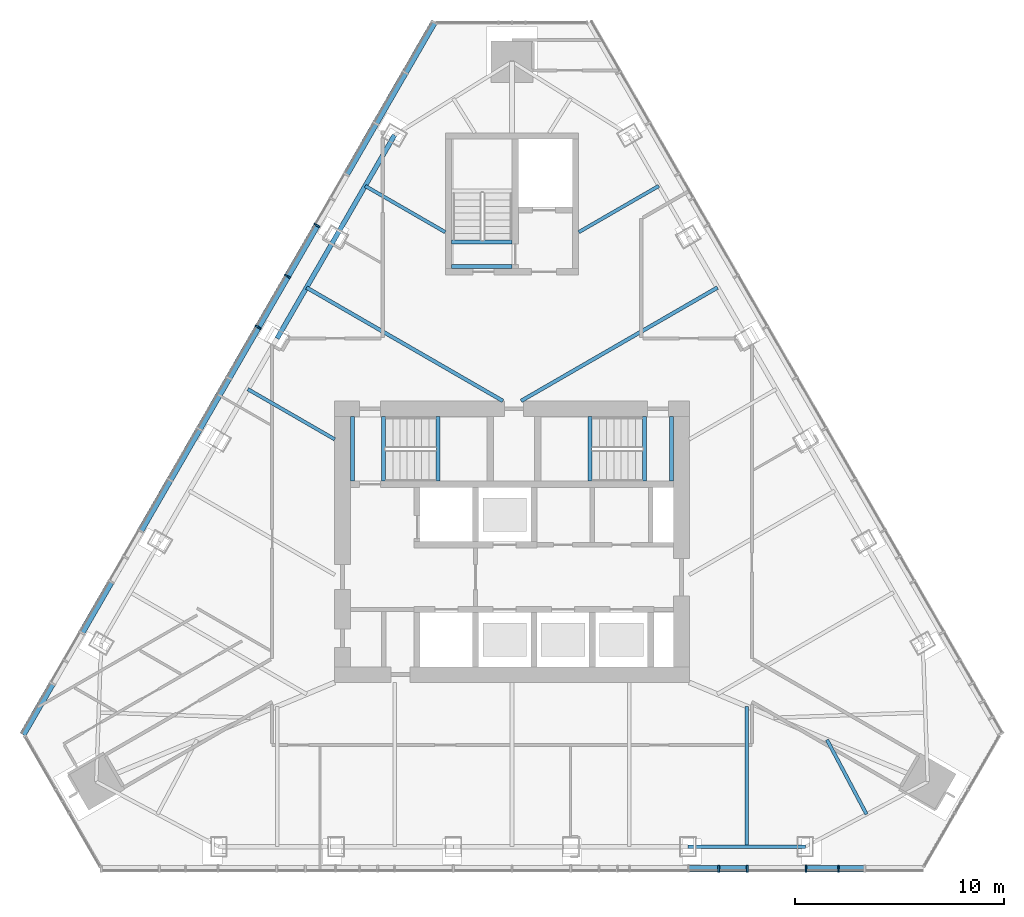
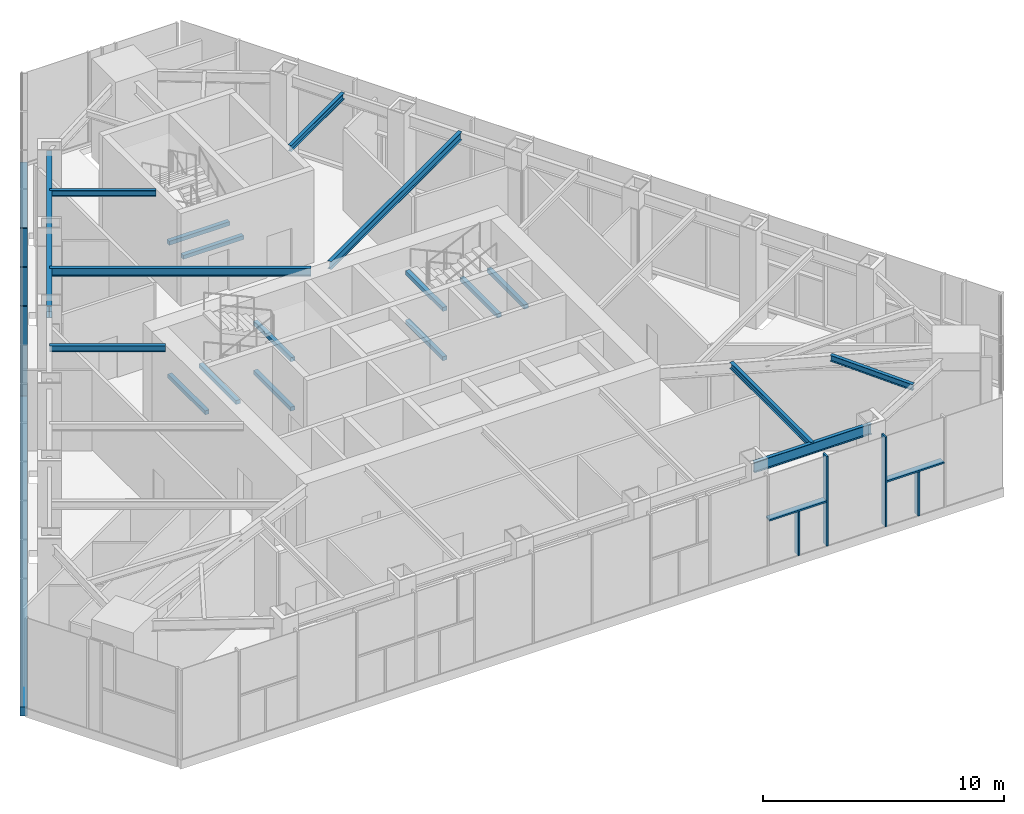
# One storey, part 4 of 17: 19 beams, 10 members, 2 elements without a shape of their own.
"""IFC4 building model written with IfcOpenShell, lengths in metres."""

from ifc_helpers import new_model, si_unit, direction, frame, origin, origin_2d, place, context, subcontext, project, spatial, rectangle, i_section, extrude, material, layer, layer_set, material_profile, profile_set, type_object, element, aggregate, save


model = new_model("IFC4")

# Units and contexts
model_context = context("Model", 3, precision=1e-05, world=origin(), true_north=direction((0.0, 1.0)))
body_context = subcontext(model_context, "Body", "Model", "MODEL_VIEW")
ifc_project = project(units=[si_unit("LENGTHUNIT", "METRE"), si_unit("AREAUNIT", "SQUARE_METRE"), si_unit("VOLUMEUNIT", "CUBIC_METRE"), si_unit("PLANEANGLEUNIT", "RADIAN"), si_unit("MASSUNIT", "GRAM", prefix="KILO")], contexts=[model_context])

# Site, building, storey
site_placement = place(None, origin())
site = spatial("IfcSite", under=ifc_project, at=site_placement, CompositionType="ELEMENT")
building_placement = place(site_placement, origin())
building = spatial("IfcBuilding", under=site, at=building_placement, Name="Firuza Gate Tower and Library", CompositionType="ELEMENT")
storey_placement = place(building_placement, frame((0.0, 0.0, 326.60009765625)))
storey = spatial("IfcBuildingStorey", under=building, at=storey_placement, Name="L80", CompositionType="ELEMENT", Elevation=326.60009765625)

# Curtain wall, members
ifc_material_1 = material(Name="Aluminium 6063-T6", Category="aluminium")
ifc_layer = layer(ifc_material_1, 0.14990234375)
ifc_layer_set = layer_set([ifc_layer], Name="Unitised curtain wall, residences")
curtain_wall_type = type_object("IfcCurtainWallType", Name="Unitised curtain wall, residences", PredefinedType="NOTDEFINED", material=ifc_layer_set)
placement = place(storey_placement, origin())
curtain_wall_1 = element("IfcCurtainWall", 1, at=placement, inside=storey, type_object=curtain_wall_type, Name="CW3 L80 S face", PredefinedType="NOTDEFINED")
ifc_material_2 = material(Name="Aluminium 6063-T6", Category="aluminium")
ifc_material_profile_1 = material_profile(ifc_material_2, rectangle(XDim=0.320068359375, YDim=0.080078125, at=origin_2d()))
ifc_profile_set_1 = profile_set([ifc_material_profile_1], Name="Aluminium 6063-T6")
member_type_1 = type_object("IfcMemberType", Name="Curtain wall mullion 80x320", PredefinedType="MULLION", material=ifc_profile_set_1)
member_1_placement = place(storey_placement, frame((86.278076171875, 59.313232421875, 0.14990234375), z_axis=(0.0, 0.0, 1.0), x_axis=(0.0, 1.0, 0.0)))
member_1 = element("IfcMember", 2, at=member_1_placement, type_object=member_type_1, Name="Mullion", PredefinedType="MULLION", context=body_context, shape_type="SweptSolid", body=[
    extrude(rectangle(XDim=0.320068359375, YDim=0.080078125, at=origin_2d()), origin(), (0.0, 0.0, 1.0), 4.550048828125),
])
member_2_placement = place(storey_placement, frame((89.09765625, 59.313232421875, 0.14990234375), z_axis=(0.0, 0.0, 1.0), x_axis=(0.0, 1.0, 0.0)))
member_2 = element("IfcMember", 3, at=member_2_placement, type_object=member_type_1, Name="Mullion", PredefinedType="MULLION", context=body_context, shape_type="SweptSolid", body=[
    extrude(rectangle(XDim=0.320068359375, YDim=0.080078125, at=origin_2d()), origin(), (0.0, 0.0, 1.0), 4.550048828125),
])
member_3_placement = place(storey_placement, frame((84.915771484375, 59.313232421875, 0.14990234375), z_axis=(0.0, 0.0, 1.0), x_axis=(0.0, 1.0, 0.0)))
member_3 = element("IfcMember", 4, at=member_3_placement, type_object=member_type_1, Name="Mullion", PredefinedType="MULLION", context=body_context, shape_type="SweptSolid", body=[
    extrude(rectangle(XDim=0.320068359375, YDim=0.080078125, at=origin_2d()), origin(), (0.0, 0.0, 1.0), 2.235107421875),
])
member_4_placement = place(storey_placement, frame((90.65966796875, 59.313232421875, 0.14990234375), z_axis=(0.0, 0.0, 1.0), x_axis=(0.0, 1.0, 0.0)))
member_4 = element("IfcMember", 5, at=member_4_placement, type_object=member_type_1, Name="Mullion", PredefinedType="MULLION", context=body_context, shape_type="SweptSolid", body=[
    extrude(rectangle(XDim=0.320068359375, YDim=0.080078125, at=origin_2d()), origin(), (0.0, 0.0, 1.0), 2.235107421875),
])

curtain_wall_2 = element("IfcCurtainWall", 6, at=placement, inside=storey, type_object=curtain_wall_type, Name="CW3 L80 W face", PredefinedType="NOTDEFINED")
member_5_placement = place(storey_placement, frame((65.64404296875, 90.168701171875, 0.14990234375), z_axis=(0.0, 0.0, 1.0), x_axis=(0.866025403784, -0.5, 0.0)))
member_5 = element("IfcMember", 7, at=member_5_placement, type_object=member_type_1, Name="Mullion", PredefinedType="MULLION", context=body_context, shape_type="SweptSolid", body=[
    extrude(rectangle(XDim=0.320068359375, YDim=0.080078125, at=origin_2d()), origin(), (0.0, 0.0, 1.0), 4.550048828125),
])
member_6_placement = place(storey_placement, frame((64.234375, 87.72705078125, 0.14990234375), z_axis=(0.0, 0.0, 1.0), x_axis=(0.866025403784, -0.5, 0.0)))
member_6 = element("IfcMember", 8, at=member_6_placement, type_object=member_type_1, Name="Mullion", PredefinedType="MULLION", context=body_context, shape_type="SweptSolid", body=[
    extrude(rectangle(XDim=0.320068359375, YDim=0.080078125, at=origin_2d()), origin(), (0.0, 0.0, 1.0), 4.550048828125),
])
member_7_placement = place(storey_placement, frame((62.824462890625, 85.28515625, 0.14990234375), z_axis=(0.0, 0.0, 1.0), x_axis=(0.866025403784, -0.5, 0.0)))
member_7 = element("IfcMember", 9, at=member_7_placement, type_object=member_type_1, Name="Mullion", PredefinedType="MULLION", context=body_context, shape_type="SweptSolid", body=[
    extrude(rectangle(XDim=0.320068359375, YDim=0.080078125, at=origin_2d()), origin(), (0.0, 0.0, 1.0), 4.550048828125),
])
ifc_material_3 = material(Name="Aluminium 6063-T6", Category="aluminium")
ifc_material_profile_2 = material_profile(ifc_material_3, rectangle(XDim=0.320068359375, YDim=0.449951171875, at=origin_2d()))
ifc_profile_set_2 = profile_set([ifc_material_profile_2], Name="Aluminium 6063-T6")
member_type_2 = type_object("IfcMemberType", Name="Curtain wall transom 450x320", PredefinedType="USERDEFINED", material=ifc_profile_set_2)
member_8_placement = place(storey_placement, frame((71.283203125, 99.935791015625, -0.0751953125), z_axis=(-0.500003887042, -0.866023159588, 0.0), x_axis=(0.866023159588, -0.500003887042, 0.0)))
member_8 = element("IfcMember", 10, at=member_8_placement, type_object=member_type_2, Name="Transom", ObjectType="TRANSOM", PredefinedType="USERDEFINED", context=body_context, shape_type="SweptSolid", body=[
    extrude(rectangle(XDim=0.320068359375, YDim=0.449951171875, at=origin_2d()), origin(), (0.0, 0.0, 1.0), 39.473388671875),
])
aggregate(curtain_wall_2, [member_5, member_6, member_7, member_8])

# Member
ifc_material_4 = material(Name="Aluminium 6063-T6", Category="aluminium")
ifc_material_profile_3 = material_profile(ifc_material_4, rectangle(XDim=0.320068359375, YDim=0.080078125, at=origin_2d()))
ifc_profile_set_3 = profile_set([ifc_material_profile_3], Name="Aluminium 6063-T6")
member_type_3 = type_object("IfcMemberType", Name="Curtain wall transom 80x320", PredefinedType="USERDEFINED", material=ifc_profile_set_3)
member_9_placement = place(storey_placement, frame((83.49853515625, 59.313232421875, 2.4248046875), z_axis=(1.0, 0.0, 0.0), x_axis=(0.0, 1.0, 0.0)))
member_9 = element("IfcMember", 11, at=member_9_placement, type_object=member_type_3, Name="Transom", ObjectType="TRANSOM", PredefinedType="USERDEFINED", context=body_context, shape_type="SweptSolid", body=[
    extrude(rectangle(XDim=0.320068359375, YDim=0.080078125, at=origin_2d()), origin(), (0.0, 0.0, 1.0), 2.739501953125),
])

member_10_placement = place(storey_placement, frame((89.1376953125, 59.313232421875, 2.4248046875), z_axis=(1.0, 0.0, 0.0), x_axis=(0.0, 1.0, 0.0)))
member_10 = element("IfcMember", 12, at=member_10_placement, type_object=member_type_3, Name="Transom", ObjectType="TRANSOM", PredefinedType="USERDEFINED", context=body_context, shape_type="SweptSolid", body=[
    extrude(rectangle(XDim=0.320068359375, YDim=0.080078125, at=origin_2d()), origin(), (0.0, 0.0, 1.0), 2.739501953125),
])

aggregate(curtain_wall_1, [member_1, member_2, member_3, member_9, member_4, member_10])

# Beams
ifc_material_5 = material(Name="Concrete C35/45", Category="concrete")
ifc_material_profile_4 = material_profile(ifc_material_5, rectangle(XDim=0.199951171875, YDim=0.199951171875, at=origin_2d()))
ifc_profile_set_4 = profile_set([ifc_material_profile_4], Name="Concrete C35/45")
beam_type_1 = type_object("IfcBeamType", Name="Stair landing bearer 200x200", PredefinedType="BEAM", material=ifc_profile_set_4)
for number, where, z_axis, x_axis, name in (
    (13, (71.455078125, 77.89990234375, 0.949951171875), (0.0, 1.0, 0.0), (-1.0, 0.0, 0.0), "Landing bearer L80 stair 1"),
    (14, (68.840087890625, 77.89990234375, 2.199951171875), (0.0, 1.0, 0.0), (-1.0, 0.0, 0.0), "Landing bearer L80 stair 1"),
    (15, (67.35009765625, 77.89990234375, 2.199951171875), (0.0, 1.0, 0.0), (-1.0, 0.0, 0.0), "Landing bearer L80 stair 1"),
    (16, (71.455078125, 77.89990234375, 3.449951171875), (0.0, 1.0, 0.0), (-1.0, 0.0, 0.0), "Landing bearer L80 stair 1"),
    (17, (78.7451171875, 81.0, 0.949951171875), (0.0, -1.0, 0.0), (1.0, 0.0, 0.0), "Landing bearer L80 stair 2"),
    (18, (81.360107421875, 81.0, 2.199951171875), (0.0, -1.0, 0.0), (1.0, 0.0, 0.0), "Landing bearer L80 stair 2"),
    (19, (82.64990234375, 81.0, 2.199951171875), (0.0, -1.0, 0.0), (1.0, 0.0, 0.0), "Landing bearer L80 stair 2"),
    (20, (78.7451171875, 81.0, 3.449951171875), (0.0, -1.0, 0.0), (1.0, 0.0, 0.0), "Landing bearer L80 stair 2"),
):
    element("IfcBeam", number, at=place(storey_placement, frame(where, z_axis=z_axis, x_axis=x_axis)), inside=storey, type_object=beam_type_1, Name=name, PredefinedType="BEAM", context=body_context, shape_type="SweptSolid", body=[
        extrude(rectangle(XDim=0.199951171875, YDim=0.199951171875, at=origin_2d()), origin(), (0.0, 0.0, 1.0), 3.10009765625),
    ])
for number, where, z_axis, x_axis, name in (
    (21, (75.0, 89.3701171875, 2.199951171875), (-1.0, 0.0, 0.0), (0.0, -1.0, 0.0), "Landing bearer L80 stair 3"),
    (22, (75.0, 88.199951171875, 2.199951171875), (-1.0, 0.0, 0.0), (0.0, -1.0, 0.0), "Landing bearer L80 stair 3"),
):
    element("IfcBeam", number, at=place(storey_placement, frame(where, z_axis=z_axis, x_axis=x_axis)), inside=storey, type_object=beam_type_1, Name=name, PredefinedType="BEAM", context=body_context, shape_type="SweptSolid", body=[
        extrude(rectangle(XDim=0.199951171875, YDim=0.199951171875, at=origin_2d()), origin(), (0.0, 0.0, 1.0), 2.89990234375),
    ])
ifc_material_6 = material(Name="Steel S355", Category="steel")
ifc_material_profile_5 = material_profile(ifc_material_6, i_section(OverallWidth=0.1650390625, OverallDepth=0.31005859375, WebThickness=0.005859375, FlangeThickness=0.009765625, at=origin_2d()))
ifc_profile_set_5 = profile_set([ifc_material_profile_5], Name="Steel S355")
beam_type_2 = type_object("IfcBeamType", Name="W310x39 Floor beam", PredefinedType="JOIST", material=ifc_profile_set_5)
beam_1_placement = place(storey_placement, frame((86.25341796875, 60.373046875, 4.544921875), z_axis=(0.0, 1.0, 0.0), x_axis=(-1.0, 0.0, 0.0)))
element("IfcBeam", 23, at=beam_1_placement, inside=storey, type_object=beam_type_2, Name="Floor beam L80 s24", PredefinedType="JOIST", context=body_context, shape_type="SweptSolid", body=[
    extrude(i_section(OverallWidth=0.1650390625, OverallDepth=0.31005859375, WebThickness=0.005859375, FlangeThickness=0.009765625, at=origin_2d()), origin(), (0.0, 0.0, 1.0), 6.73095703125),
])
beam_2_placement = place(storey_placement, frame((92.00048828125, 61.931884765625, 4.544921875), z_axis=(-0.469161114577, 0.883112591105, 0.0), x_axis=(-0.883112591105, -0.469161114577, 0.0)))
element("IfcBeam", 24, at=beam_2_placement, inside=storey, type_object=beam_type_2, Name="Floor beam L80 s30", PredefinedType="JOIST", context=body_context, shape_type="SweptSolid", body=[
    extrude(i_section(OverallWidth=0.1650390625, OverallDepth=0.31005859375, WebThickness=0.005859375, FlangeThickness=0.009765625, at=origin_2d()), origin(), (0.0, 0.0, 1.0), 4.041748046875),
])
for number, where, z_axis, x_axis, name in (
    (25, (82.04052734375, 92.05908203125, 4.544921875), (-0.866032485742, -0.499987733489, 0.0), (0.499987733489, -0.866032485742, 0.0), "Floor beam L80 s54"),
    (26, (67.95947265625, 92.05908203125, 4.544921875), (0.866032485742, -0.499987733489, 0.0), (0.499987733489, 0.866032485742, 0.0), "Floor beam L80 s80"),
):
    element("IfcBeam", number, at=place(storey_placement, frame(where, z_axis=z_axis, x_axis=x_axis)), inside=storey, type_object=beam_type_2, Name=name, PredefinedType="JOIST", context=body_context, shape_type="SweptSolid", body=[
        extrude(i_section(OverallWidth=0.1650390625, OverallDepth=0.31005859375, WebThickness=0.005859375, FlangeThickness=0.009765625, at=origin_2d()), origin(), (0.0, 0.0, 1.0), 4.4345703125),
    ])
beam_3_placement = place(storey_placement, frame((62.332763671875, 82.3134765625, 4.544921875), z_axis=(0.866020828478, -0.50000792458, 0.0), x_axis=(0.50000792458, 0.866020828478, 0.0)))
element("IfcBeam", 27, at=beam_3_placement, inside=storey, type_object=beam_type_2, Name="Floor beam L80 s82", PredefinedType="JOIST", context=body_context, shape_type="SweptSolid", body=[
    extrude(i_section(OverallWidth=0.1650390625, OverallDepth=0.31005859375, WebThickness=0.005859375, FlangeThickness=0.009765625, at=origin_2d()), origin(), (0.0, 0.0, 1.0), 4.81201171875),
])
ifc_material_7 = material(Name="Steel S355", Category="steel")
ifc_material_profile_6 = material_profile(ifc_material_7, i_section(OverallWidth=0.177978515625, OverallDepth=0.406982421875, WebThickness=0.0078125, FlangeThickness=0.0126953125, at=origin_2d()))
ifc_profile_set_6 = profile_set([ifc_material_profile_6], Name="Steel S355")
beam_type_3 = type_object("IfcBeamType", Name="W410x60 Floor beam", PredefinedType="JOIST", material=ifc_profile_set_6)
for number, where, z_axis, x_axis, name in (
    (28, (84.85400390625, 87.186279296875, 4.496337890625), (-0.866027787708, -0.499995870901, 0.0), (0.499995870901, -0.866027787708, 0.0), "Floor beam L80 s53"),
    (29, (65.14599609375, 87.186279296875, 4.496337890625), (0.866027787708, -0.499995870901, 0.0), (0.499995870901, 0.866027787708, 0.0), "Floor beam L80 s81"),
):
    element("IfcBeam", number, at=place(storey_placement, frame(where, z_axis=z_axis, x_axis=x_axis)), inside=storey, type_object=beam_type_3, Name=name, PredefinedType="JOIST", context=body_context, shape_type="SweptSolid", body=[
        extrude(i_section(OverallWidth=0.177978515625, OverallDepth=0.406982421875, WebThickness=0.0078125, FlangeThickness=0.0126953125, at=origin_2d()), origin(), (0.0, 0.0, 1.0), 10.87255859375),
    ])
ifc_material_8 = material(Name="Steel S355", Category="steel")
ifc_material_profile_7 = material_profile(ifc_material_8, i_section(OverallWidth=0.166015625, OverallDepth=0.534912109375, WebThickness=0.01025390625, FlangeThickness=0.0166015625, at=origin_2d()))
ifc_profile_set_7 = profile_set([ifc_material_profile_7], Name="Steel S355")
beam_type_4 = type_object("IfcBeamType", Name="W530x85 Edge beam", PredefinedType="SPANDREL", material=ifc_profile_set_7)
beam_4_placement = place(storey_placement, frame((83.43994140625, 60.373046875, 4.432373046875), z_axis=(1.0, 0.0, 0.0), x_axis=(0.0, 1.0, 0.0)))
element("IfcBeam", 30, at=beam_4_placement, inside=storey, type_object=beam_type_4, Name="Edge beam L80 e24", PredefinedType="SPANDREL", context=body_context, shape_type="SweptSolid", body=[
    extrude(i_section(OverallWidth=0.166015625, OverallDepth=0.534912109375, WebThickness=0.01025390625, FlangeThickness=0.0166015625, at=origin_2d()), origin(), (0.0, 0.0, 1.0), 5.626708984375),
])
ifc_material_9 = material(Name="Steel S355", Category="steel")
ifc_material_profile_8 = material_profile(ifc_material_9, i_section(OverallWidth=0.22900390625, OverallDepth=0.612060546875, WebThickness=0.011962890625, FlangeThickness=0.01953125, at=origin_2d()))
ifc_profile_set_8 = profile_set([ifc_material_profile_8], Name="Steel S355")
beam_type_5 = type_object("IfcBeamType", Name="W610x125 Edge beam", PredefinedType="SPANDREL", material=ifc_profile_set_8)
beam_5_placement = place(storey_placement, frame((69.3662109375, 94.49560546875, 4.393798828125), z_axis=(-0.499996007168, -0.866027709035, 0.0), x_axis=(0.866027709035, -0.499996007168, 0.0)))
element("IfcBeam", 31, at=beam_5_placement, inside=storey, type_object=beam_type_5, Name="Edge beam L80 e80", PredefinedType="SPANDREL", context=body_context, shape_type="SweptSolid", body=[
    extrude(i_section(OverallWidth=0.22900390625, OverallDepth=0.612060546875, WebThickness=0.011962890625, FlangeThickness=0.01953125, at=origin_2d()), origin(), (0.0, 0.0, 1.0), 11.25341796875),
])

save(model, "model.ifc")
